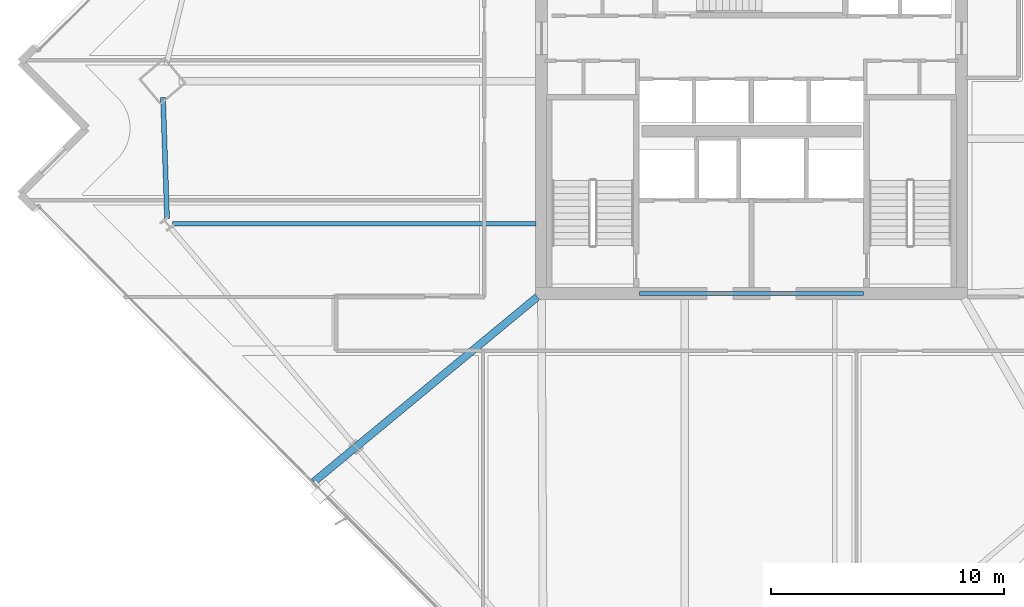
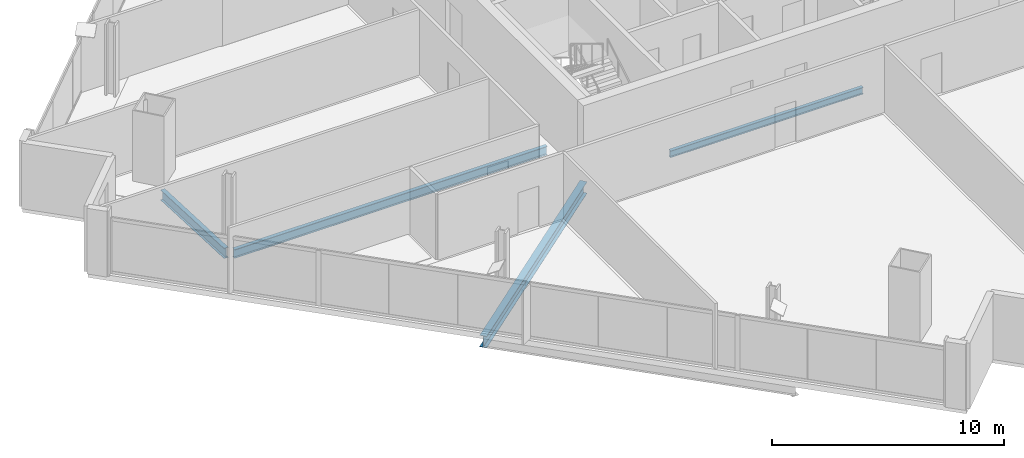
# One storey, part 5 of 32: 4 beams.
"""IFC4 building model written with IfcOpenShell, lengths in metres."""

from ifc_helpers import new_model, si_unit, direction, frame, origin, origin_2d, place, context, subcontext, project, spatial, i_section, extrude, material, material_profile, profile_set, type_object, element, save


model = new_model("IFC4")

# Units and contexts
model_context = context("Model", 3, precision=1e-05, world=origin(), true_north=direction((0.0, 1.0)))
body_context = subcontext(model_context, "Body", "Model", "MODEL_VIEW")
ifc_project = project(units=[si_unit("LENGTHUNIT", "METRE"), si_unit("AREAUNIT", "SQUARE_METRE"), si_unit("VOLUMEUNIT", "CUBIC_METRE"), si_unit("PLANEANGLEUNIT", "RADIAN"), si_unit("MASSUNIT", "GRAM", prefix="KILO")], contexts=[model_context])

# Site, building, storey
site_placement = place(None, origin())
site = spatial("IfcSite", under=ifc_project, at=site_placement, CompositionType="ELEMENT")
building_placement = place(site_placement, origin())
building = spatial("IfcBuilding", under=site, at=building_placement, Name="Haldenkirk Collegiate Tower", CompositionType="ELEMENT")
storey_placement = place(building_placement, frame((0.0, 0.0, 178.199951171875)))
storey = spatial("IfcBuildingStorey", under=building, at=storey_placement, Name="L44", CompositionType="ELEMENT", Elevation=178.199951171875)

# Beams
ifc_material = material(Name="Steel ASTM A992 Grade 50", Category="steel")
ifc_material_profile_1 = material_profile(ifc_material, i_section(OverallWidth=0.324951171875, OverallDepth=0.615966796875, WebThickness=0.013916015625, FlangeThickness=0.021484375, at=origin_2d()), Name="W24X117")
ifc_profile_set_1 = profile_set([ifc_material_profile_1], Name="Steel ASTM A992 Grade 50")
beam_type_1 = type_object("IfcBeamType", Name="BM-GIRDER-W24X117", PredefinedType="BEAM", material=ifc_profile_set_1)
beam_1_placement = place(storey_placement, frame((17.24609375, 9.9287109375, -0.597900390625), z_axis=(0.770422263542, 0.637533948773, 0.0), x_axis=(-0.637533948773, 0.770422263542, 0.0)))
element("IfcBeam", 1, at=beam_1_placement, inside=storey, type_object=beam_type_1, Name="L44 primary floor girder 15", PredefinedType="BEAM", context=body_context, shape_type="SweptSolid", body=[
    extrude(i_section(OverallWidth=0.324951171875, OverallDepth=0.615966796875, WebThickness=0.013916015625, FlangeThickness=0.021484375, at=origin_2d()), origin(), (0.0, 0.0, 1.0), 12.430419921875),
])
ifc_material_profile_2 = material_profile(ifc_material, i_section(OverallWidth=0.18994140625, OverallDepth=0.45703125, WebThickness=0.009033203125, FlangeThickness=0.014404296875, at=origin_2d()), Name="W18X50")
ifc_profile_set_2 = profile_set([ifc_material_profile_2], Name="Steel ASTM A992 Grade 50")
beam_type_2 = type_object("IfcBeamType", Name="BM-JOIST-W18X50", PredefinedType="JOIST", material=ifc_profile_set_2)
beam_2_placement = place(storey_placement, frame((11.1923828125, 20.9833984375, -0.5185546875), z_axis=(1.0, 0.0, 0.0), x_axis=(0.0, 1.0, 0.0)))
element("IfcBeam", 2, at=beam_2_placement, inside=storey, type_object=beam_type_2, Name="L44 composite floor joist 14", PredefinedType="JOIST", context=body_context, shape_type="SweptSolid", body=[
    extrude(i_section(OverallWidth=0.18994140625, OverallDepth=0.45703125, WebThickness=0.009033203125, FlangeThickness=0.014404296875, at=origin_2d()), origin(), (0.0, 0.0, 1.0), 15.57763671875),
])
ifc_material_profile_3 = material_profile(ifc_material, i_section(OverallWidth=0.1708984375, OverallDepth=0.35595703125, WebThickness=0.007080078125, FlangeThickness=0.01171875, at=origin_2d()), Name="W14X34")
ifc_profile_set_3 = profile_set([ifc_material_profile_3], Name="Steel ASTM A992 Grade 50")
beam_type_3 = type_object("IfcBeamType", Name="BM-LINTEL-W14X34", PredefinedType="LINTEL", material=ifc_profile_set_3)
beam_3_placement = place(storey_placement, frame((31.199951171875, 18.0, -0.468017578125), z_axis=(1.0, 0.0, 0.0), x_axis=(0.0, 1.0, 0.0)))
element("IfcBeam", 3, at=beam_3_placement, inside=storey, type_object=beam_type_3, Name="L44 south core coupling lintel", PredefinedType="LINTEL", context=body_context, shape_type="SweptSolid", body=[
    extrude(i_section(OverallWidth=0.1708984375, OverallDepth=0.35595703125, WebThickness=0.007080078125, FlangeThickness=0.01171875, at=origin_2d()), origin(), (0.0, 0.0, 1.0), 9.60009765625),
])
ifc_material_profile_4 = material_profile(ifc_material, i_section(OverallWidth=0.2119140625, OverallDepth=0.5439453125, WebThickness=0.01318359375, FlangeThickness=0.021240234375, at=origin_2d()), Name="W21X83")
ifc_profile_set_4 = profile_set([ifc_material_profile_4], Name="Steel ASTM A992 Grade 50")
beam_type_4 = type_object("IfcBeamType", Name="BM-SPANDREL-W21X83", PredefinedType="SPANDREL", material=ifc_profile_set_4)
beam_4_placement = place(storey_placement, frame((10.7841796875, 26.399169921875, -0.56201171875), z_axis=(0.033072037576, -0.999452970545, 0.0), x_axis=(0.999452970545, 0.033072037576, 0.0)))
element("IfcBeam", 4, at=beam_4_placement, inside=storey, type_object=beam_type_4, Name="L44 perimeter spandrel beam 13", PredefinedType="SPANDREL", context=body_context, shape_type="SweptSolid", body=[
    extrude(i_section(OverallWidth=0.2119140625, OverallDepth=0.5439453125, WebThickness=0.01318359375, FlangeThickness=0.021240234375, at=origin_2d()), origin(), (0.0, 0.0, 1.0), 5.189697265625),
])

save(model, "model.ifc")
